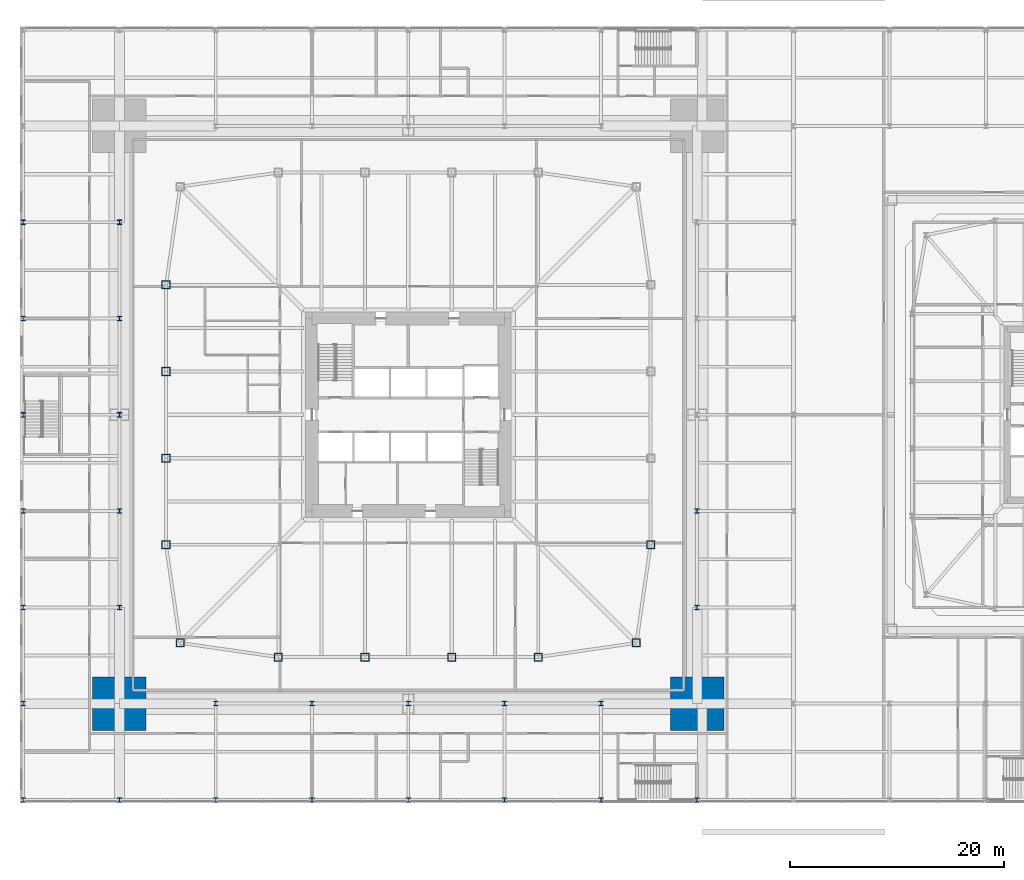
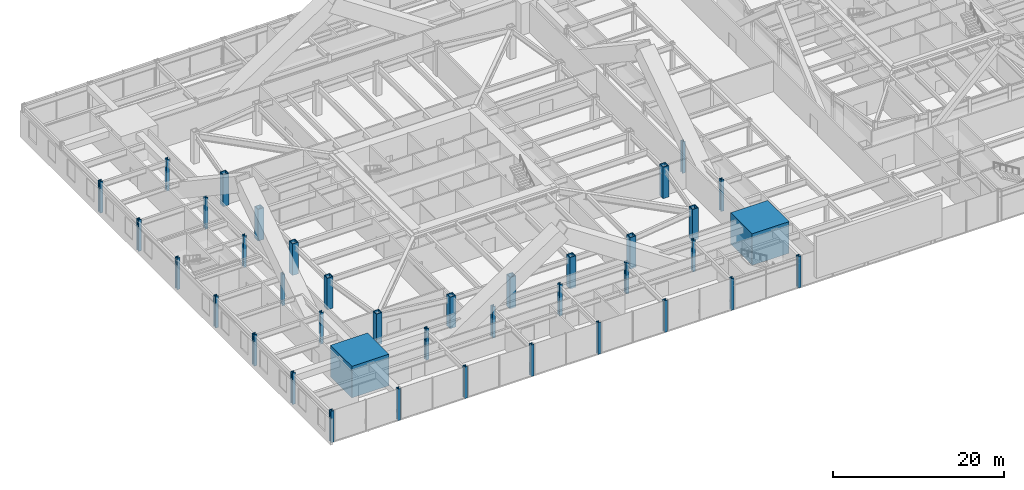
# One storey, part 1 of 32: 39 columns.
"""IFC4 building model written with IfcOpenShell, lengths in metres."""

from ifc_helpers import new_model, si_unit, direction, frame, origin, origin_2d, place, context, subcontext, project, spatial, rectangle, hollow_rectangle, i_section, extrude, material, material_profile, profile_set, type_object, element, save


model = new_model("IFC4")

# Units and contexts
model_context = context("Model", 3, precision=1e-05, world=origin(), true_north=direction((0.0, 1.0)))
body_context = subcontext(model_context, "Body", "Model", "MODEL_VIEW")
ifc_project = project(units=[si_unit("LENGTHUNIT", "METRE"), si_unit("AREAUNIT", "SQUARE_METRE"), si_unit("VOLUMEUNIT", "CUBIC_METRE"), si_unit("PLANEANGLEUNIT", "RADIAN"), si_unit("MASSUNIT", "GRAM", prefix="KILO")], contexts=[model_context])

# Site, building, storey
site_placement = place(None, origin())
site = spatial("IfcSite", under=ifc_project, at=site_placement, CompositionType="ELEMENT")
building_placement = place(site_placement, origin())
building = spatial("IfcBuilding", under=site, at=building_placement, Name="Iwan Alto Co-Living Towers", CompositionType="ELEMENT")
storey_placement = place(building_placement, frame((0.0, 0.0, 6.0)))
storey = spatial("IfcBuildingStorey", under=building, at=storey_placement, Name="L01", CompositionType="ELEMENT", Elevation=6.0)

# Columns
ifc_material_1 = material(Name="Steel ASTM A992 Gr 50", Category="steel")
ifc_material_profile_1 = material_profile(ifc_material_1, i_section(OverallWidth=0.411376953125, OverallDepth=0.434326171875, WebThickness=0.035888671875, FlangeThickness=0.057373046875, at=origin_2d()), Name="W14X311")
ifc_profile_set_1 = profile_set([ifc_material_profile_1], Name="Steel ASTM A992 Gr 50")
column_type_1 = type_object("IfcColumnType", Name="PODIUM COLUMN W14X311", PredefinedType="COLUMN", material=ifc_profile_set_1)
for number, where, z_axis, x_axis, name in (
    (1, (-36.0, -36.0, 0.0), (0.0, 0.0, 1.0), (1.0, 0.0, 0.0), "Podium column 1/A L01"),
    (2, (-36.0, -27.0, 0.0), (0.0, 0.0, 1.0), (1.0, 0.0, 0.0), "Podium column 1/B L01"),
    (3, (-36.0, -18.0, 0.0), (0.0, 0.0, 1.0), (1.0, 0.0, 0.0), "Podium column 1/C L01"),
    (4, (-36.0, -9.0, 0.0), (0.0, 0.0, 1.0), (1.0, 0.0, 0.0), "Podium column 1/D L01"),
    (5, (-36.0, 0.0, 0.0), (0.0, 0.0, 1.0), (1.0, 0.0, 0.0), "Podium column 1/E L01"),
    (6, (-36.0, 9.0, 0.0), (0.0, 0.0, 1.0), (1.0, 0.0, 0.0), "Podium column 1/F L01"),
    (7, (-36.0, 18.0, 0.0), (0.0, 0.0, 1.0), (1.0, 0.0, 0.0), "Podium column 1/G L01"),
    (8, (-27.0, -36.0, 0.0), (0.0, 0.0, 1.0), (1.0, 0.0, 0.0), "Podium column 2/A L01"),
    (9, (-27.0, -18.0, 0.0), (0.0, 0.0, 1.0), (1.0, 0.0, 0.0), "Podium column 2/C L01"),
    (10, (-27.0, -9.0, 0.0), (0.0, 0.0, 1.0), (1.0, 0.0, 0.0), "Podium column 2/D L01"),
    (11, (-27.0, 0.0, 0.0), (0.0, 0.0, 1.0), (1.0, 0.0, 0.0), "Podium column 2/E L01"),
    (12, (-27.0, 9.0, 0.0), (0.0, 0.0, 1.0), (1.0, 0.0, 0.0), "Podium column 2/F L01"),
    (13, (-27.0, 18.0, 0.0), (0.0, 0.0, 1.0), (1.0, 0.0, 0.0), "Podium column 2/G L01"),
    (14, (-18.0, -36.0, 0.0), (0.0, 0.0, 1.0), (1.0, 0.0, 0.0), "Podium column 3/A L01"),
    (15, (-18.0, -27.0, 0.0), (0.0, 0.0, 1.0), (1.0, 0.0, 0.0), "Podium column 3/B L01"),
    (16, (-9.0, -36.0, 0.0), (0.0, 0.0, 1.0), (1.0, 0.0, 0.0), "Podium column 4/A L01"),
    (17, (-9.0, -27.0, 0.0), (0.0, 0.0, 1.0), (1.0, 0.0, 0.0), "Podium column 4/B L01"),
    (18, (0.0, -36.0, 0.0), (0.0, 0.0, 1.0), (1.0, 0.0, 0.0), "Podium column 5/A L01"),
    (19, (0.0, -27.0, 0.0), (0.0, 0.0, 1.0), (1.0, 0.0, 0.0), "Podium column 5/B L01"),
    (20, (9.0, -36.0, 0.0), (0.0, 0.0, 1.0), (1.0, 0.0, 0.0), "Podium column 6/A L01"),
    (21, (9.0, -27.0, 0.0), (0.0, 0.0, 1.0), (1.0, 0.0, 0.0), "Podium column 6/B L01"),
    (22, (18.0, -36.0, 0.0), (0.0, 0.0, 1.0), (1.0, 0.0, 0.0), "Podium column 7/A L01"),
    (23, (18.0, -27.0, 0.0), (0.0, 0.0, 1.0), (1.0, 0.0, 0.0), "Podium column 7/B L01"),
    (24, (27.0, -36.0, 0.0), (0.0, 0.0, 1.0), (1.0, 0.0, 0.0), "Podium column 8/A L01"),
    (25, (27.0, -18.0, 0.0), (0.0, 0.0, 1.0), (1.0, 0.0, 0.0), "Podium column 8/C L01"),
    (26, (27.0, -9.0, 0.0), (0.0, 0.0, 1.0), (1.0, 0.0, 0.0), "Podium column 8/D L01"),
):
    element("IfcColumn", number, at=place(storey_placement, frame(where, z_axis=z_axis, x_axis=x_axis)), inside=storey, type_object=column_type_1, Name=name, PredefinedType="COLUMN", context=body_context, shape_type="SweptSolid", body=[
        extrude(i_section(OverallWidth=0.411376953125, OverallDepth=0.434326171875, WebThickness=0.035888671875, FlangeThickness=0.057373046875, at=origin_2d()), origin(), (0.0, 0.0, 1.0), 4.5),
    ])
ifc_material_2 = material(Name="Concrete f'c 70 MPa", Category="concrete")
ifc_material_profile_2 = material_profile(ifc_material_2, rectangle(XDim=5.0, YDim=5.0, at=origin_2d()), Name="RC 5000X5000")
ifc_profile_set_2 = profile_set([ifc_material_profile_2], Name="Concrete f'c 70 MPa")
column_type_2 = type_object("IfcColumnType", Name="T1 MEGA COLUMN RC 5000X5000", PredefinedType="COLUMN", material=ifc_profile_set_2)
for number, where, z_axis, x_axis, name in (
    (27, (-27.0, -27.0, 0.0), (0.0, 0.0, 1.0), (1.0, 0.0, 0.0), "T1 mega column SW L01"),
    (28, (27.0, -27.0, 0.0), (0.0, 0.0, 1.0), (1.0, 0.0, 0.0), "T1 mega column SE L01"),
):
    element("IfcColumn", number, at=place(storey_placement, frame(where, z_axis=z_axis, x_axis=x_axis)), inside=storey, type_object=column_type_2, Name=name, PredefinedType="COLUMN", context=body_context, shape_type="SweptSolid", body=[
        extrude(rectangle(XDim=5.0, YDim=5.0, at=origin_2d()), origin(), (0.0, 0.0, 1.0), 4.5),
        extrude(i_section(OverallWidth=0.4775390625, OverallDepth=0.599365234375, WebThickness=0.10009765625, FlangeThickness=0.139892578125, at=origin_2d()), origin(), (0.0, 0.0, 1.0), 4.5),
    ])
ifc_material_3 = material(Name="Steel ASTM A572 Gr 50", Category="steel")
ifc_material_profile_3 = material_profile(ifc_material_3, hollow_rectangle(XDim=0.800048828125, YDim=0.800048828125, WallThickness=0.090087890625, at=origin_2d()), Name="BOX 800X800X90")
ifc_profile_set_3 = profile_set([ifc_material_profile_3], Name="Steel ASTM A572 Gr 50")
column_type_3 = type_object("IfcColumnType", Name="T1 RING COLUMN BOX 800X800X90", PredefinedType="COLUMN", material=ifc_profile_set_3)
for number, where, z_axis, x_axis, name in (
    (29, (-21.32568359375, -21.32568359375, 0.0), (0.0, 0.0, 1.0), (1.0, 0.0, 0.0), "T1 ring column CSW L01"),
    (30, (-12.14990234375, -22.64990234375, 0.0), (0.0, 0.0, 1.0), (1.0, 0.0, 0.0), "T1 ring column S1 L01"),
    (31, (-4.050048828125, -22.64990234375, 0.0), (0.0, 0.0, 1.0), (1.0, 0.0, 0.0), "T1 ring column S2 L01"),
    (32, (4.050048828125, -22.64990234375, 0.0), (0.0, 0.0, 1.0), (1.0, 0.0, 0.0), "T1 ring column S3 L01"),
    (33, (12.14990234375, -22.64990234375, 0.0), (0.0, 0.0, 1.0), (1.0, 0.0, 0.0), "T1 ring column S4 L01"),
    (34, (21.32568359375, -21.32568359375, 0.0), (0.0, 0.0, 1.0), (1.0, 0.0, 0.0), "T1 ring column CSE L01"),
    (35, (22.64990234375, -12.14990234375, 0.0), (0.0, 0.0, 1.0), (1.0, 0.0, 0.0), "T1 ring column E1 L01"),
    (36, (-22.64990234375, 12.14990234375, 0.0), (0.0, 0.0, 1.0), (1.0, 0.0, 0.0), "T1 ring column W1 L01"),
    (37, (-22.64990234375, 4.050048828125, 0.0), (0.0, 0.0, 1.0), (1.0, 0.0, 0.0), "T1 ring column W2 L01"),
    (38, (-22.64990234375, -4.050048828125, 0.0), (0.0, 0.0, 1.0), (1.0, 0.0, 0.0), "T1 ring column W3 L01"),
    (39, (-22.64990234375, -12.14990234375, 0.0), (0.0, 0.0, 1.0), (1.0, 0.0, 0.0), "T1 ring column W4 L01"),
):
    element("IfcColumn", number, at=place(storey_placement, frame(where, z_axis=z_axis, x_axis=x_axis)), inside=storey, type_object=column_type_3, Name=name, PredefinedType="COLUMN", context=body_context, shape_type="SweptSolid", body=[
        extrude(hollow_rectangle(XDim=0.800048828125, YDim=0.800048828125, WallThickness=0.090087890625, at=origin_2d()), origin(), (0.0, 0.0, 1.0), 4.5),
    ])

save(model, "model.ifc")
